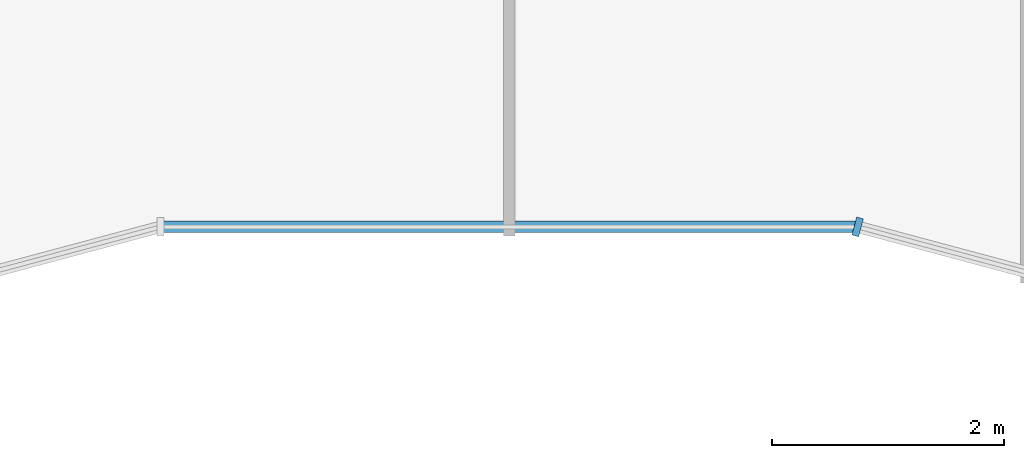
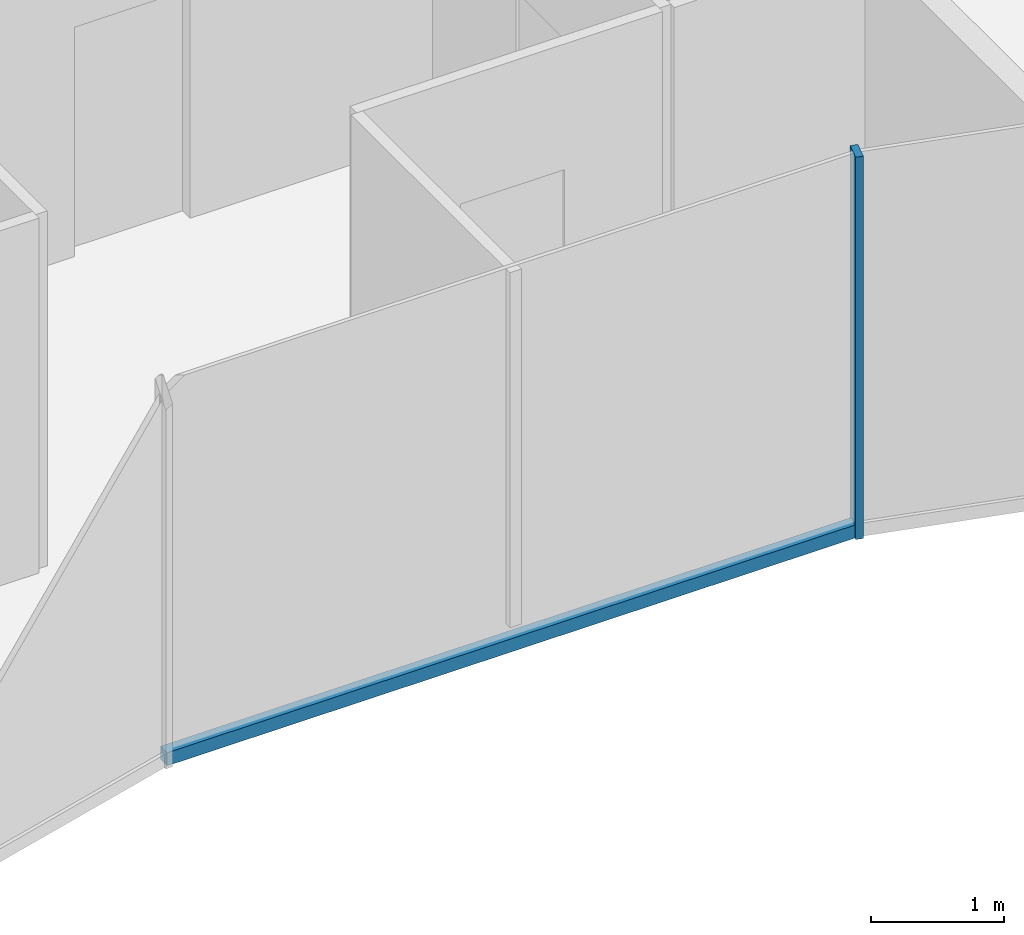
# One storey, part 3 of 16: 2 members, 2 elements without a shape of their own.
"""IFC4 building model written with IfcOpenShell, lengths in metres."""

from ifc_helpers import new_model, si_unit, direction, frame, origin, origin_2d, place, context, subcontext, project, spatial, rectangle, extrude, material, layer, layer_set, material_profile, profile_set, type_object, element, aggregate, save


model = new_model("IFC4")

# Units and contexts
model_context = context("Model", 3, precision=1e-05, world=origin(), true_north=direction((0.0, 1.0)))
body_context = subcontext(model_context, "Body", "Model", "MODEL_VIEW")
ifc_project = project(units=[si_unit("LENGTHUNIT", "METRE"), si_unit("AREAUNIT", "SQUARE_METRE"), si_unit("VOLUMEUNIT", "CUBIC_METRE"), si_unit("PLANEANGLEUNIT", "RADIAN"), si_unit("MASSUNIT", "GRAM", prefix="KILO")], contexts=[model_context])

# Site, building, storey
site_placement = place(None, origin())
site = spatial("IfcSite", under=ifc_project, at=site_placement, CompositionType="ELEMENT")
building_placement = place(site_placement, origin())
building = spatial("IfcBuilding", under=site, at=building_placement, Name="Plateau Cross Towers", CompositionType="ELEMENT")
storey_placement = place(building_placement, frame((0.0, 0.0, 211.89990234375)))
storey = spatial("IfcBuildingStorey", under=building, at=storey_placement, Name="L55", CompositionType="ELEMENT", Elevation=211.89990234375)

# Curtain wall, member
ifc_material_1 = material(Name="Dark low-iron glass", Category="glass")
ifc_layer = layer(ifc_material_1, 0.260009765625)
ifc_layer_set = layer_set([ifc_layer], Name="Dark low-iron glass")
curtain_wall_type = type_object("IfcCurtainWallType", Name="Curtain wall fluted unitised CW-A", PredefinedType="NOTDEFINED", material=ifc_layer_set)
curtain_wall_1_placement = place(storey_placement, origin())
curtain_wall_1 = element("IfcCurtainWall", 1, at=curtain_wall_1_placement, inside=storey, type_object=curtain_wall_type, Name="ENV/A/L55/A300_16", PredefinedType="NOTDEFINED")
ifc_material_2 = material(Name="Black anodised aluminium", Category="aluminium")
ifc_material_profile_1 = material_profile(ifc_material_2, rectangle(XDim=0.06005859375, YDim=0.159912109375, at=origin_2d()), Name="MULLION 60x160")
ifc_profile_set_1 = profile_set([ifc_material_profile_1], Name="Black anodised aluminium")
member_type_1 = type_object("IfcMemberType", Name="Mullion 60x160 fluted unitised", PredefinedType="MULLION", material=ifc_profile_set_1)
member_1_placement = place(storey_placement, frame((30.0, 1.60693359375, -0.25), z_axis=(0.0, 0.0, 1.0), x_axis=(0.965957983404, -0.258699003279, 0.0)))
member_1 = element("IfcMember", 2, at=member_1_placement, type_object=member_type_1, Name="CW-A mullion 1", PredefinedType="MULLION", context=body_context, shape_type="SweptSolid", body=[
    extrude(rectangle(XDim=0.06005859375, YDim=0.159912109375, at=origin_2d()), origin(), (0.0, 0.0, 1.0), 3.5),
])
aggregate(curtain_wall_1, [member_1])

curtain_wall_2_placement = place(storey_placement, origin())
curtain_wall_2 = element("IfcCurtainWall", 3, at=curtain_wall_2_placement, inside=storey, type_object=curtain_wall_type, Name="ENV/A/L55/A240_16", PredefinedType="NOTDEFINED")
ifc_material_profile_2 = material_profile(ifc_material_2, rectangle(XDim=0.10009765625, YDim=0.1201171875, at=origin_2d()), Name="TRANSOM 100x120")
ifc_profile_set_2 = profile_set([ifc_material_profile_2], Name="Black anodised aluminium")
member_type_2 = type_object("IfcMemberType", Name="Transom 100x120 fluted unitised", PredefinedType="USERDEFINED", material=ifc_profile_set_2)
member_2_placement = place(storey_placement, frame((24.0, 1.60693359375, -0.18994140625), z_axis=(1.0, 0.0, 0.0), x_axis=(0.0, 1.0, 0.0)))
member_2 = element("IfcMember", 4, at=member_2_placement, type_object=member_type_2, Name="CW-A transom", ObjectType="TRANSOM", PredefinedType="USERDEFINED", context=body_context, shape_type="SweptSolid", body=[
    extrude(rectangle(XDim=0.10009765625, YDim=0.1201171875, at=origin_2d()), origin(), (0.0, 0.0, 1.0), 6.0),
])
aggregate(curtain_wall_2, [member_2])

save(model, "model.ifc")
